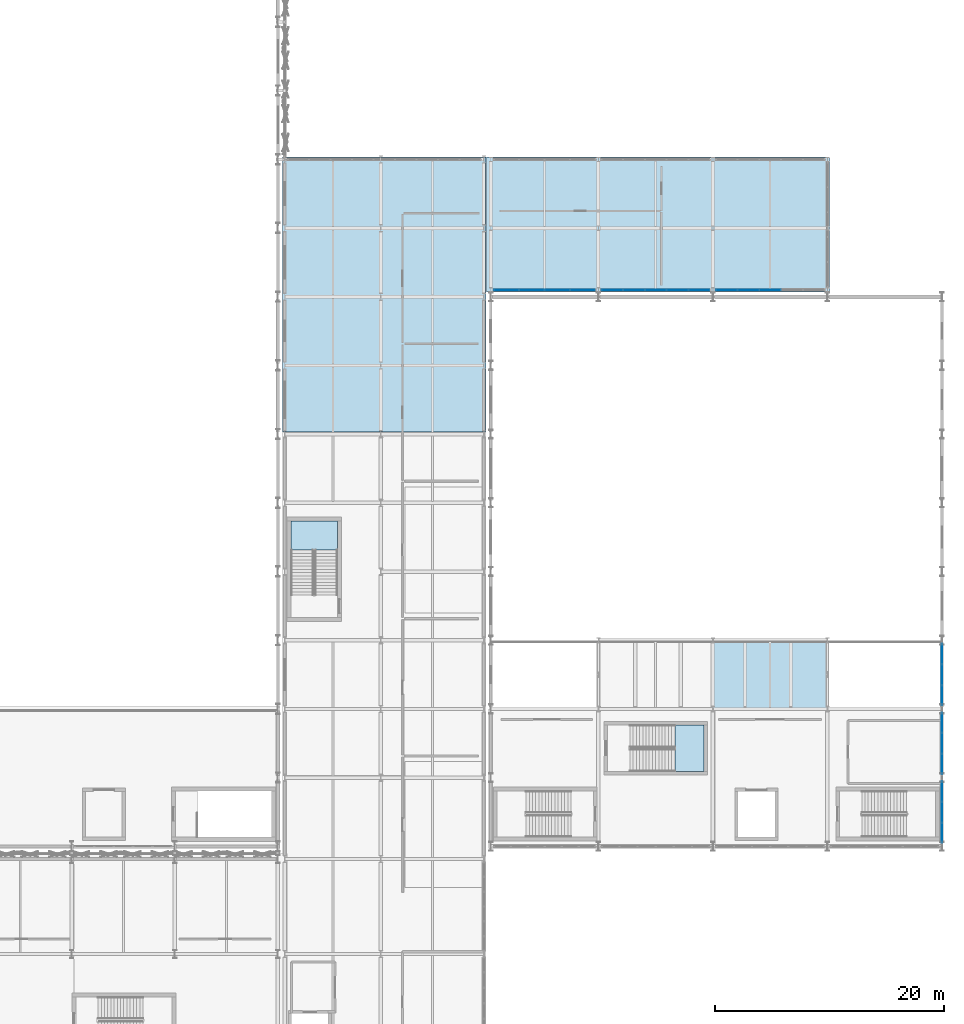
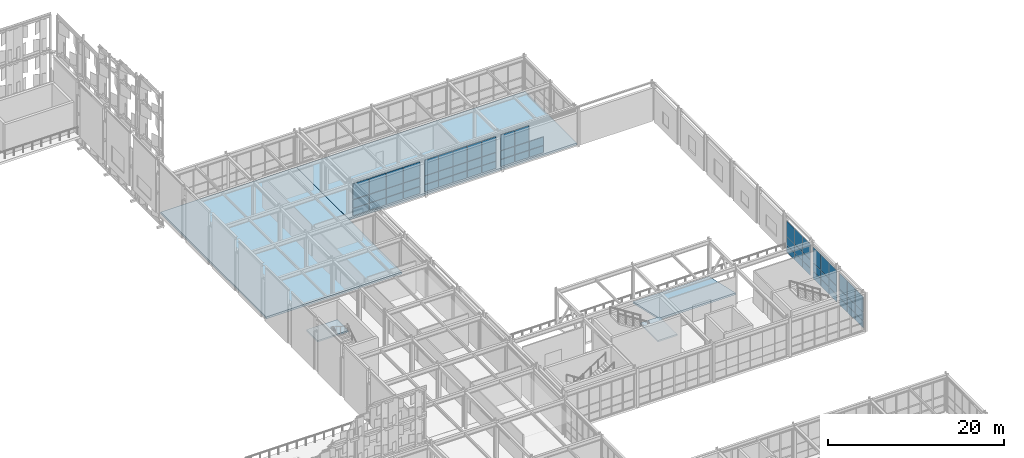
# One storey, part 147 of 210: 62 plates, 5 slabs, 8 elements without a shape of their own.
"""IFC4 building model written with IfcOpenShell, lengths in metres."""

from ifc_helpers import new_model, si_unit, direction, frame, origin, origin_2d, place, context, subcontext, project, spatial, polyline, rectangle, outline, extrude, material, layer, layer_set, type_object, element, aggregate, save


model = new_model("IFC4")

# Units and contexts
model_context = context("Model", 3, precision=1e-05, world=origin(), true_north=direction((0.0, 1.0)))
body_context = subcontext(model_context, "Body", "Model", "MODEL_VIEW")
ifc_project = project(units=[si_unit("LENGTHUNIT", "METRE"), si_unit("AREAUNIT", "SQUARE_METRE"), si_unit("VOLUMEUNIT", "CUBIC_METRE"), si_unit("PLANEANGLEUNIT", "RADIAN"), si_unit("MASSUNIT", "GRAM", prefix="KILO")], contexts=[model_context])

# Site, building, storey
site_placement = place(None, origin())
site = spatial("IfcSite", under=ifc_project, at=site_placement, CompositionType="ELEMENT")
building_placement = place(site_placement, origin())
building = spatial("IfcBuilding", under=site, at=building_placement, Name="Kaldris Quays Convention Centre", CompositionType="ELEMENT")
storey_placement = place(building_placement, frame((0.0, 0.0, 6.0)))
storey = spatial("IfcBuildingStorey", under=building, at=storey_placement, Name="L01", CompositionType="ELEMENT", Elevation=6.0)

# Curtain wall, plates
ifc_material_1 = material(Name="Anodized aluminium AW-6060 and triple glazing", Category="aluminium")
curtain_wall_type_1 = type_object("IfcCurtainWallType", Name="UNITISED CURTAIN WALL CW02", PredefinedType="NOTDEFINED", material=ifc_material_1)
curtain_wall_1_placement = place(storey_placement, origin())
curtain_wall_1 = element("IfcCurtainWall", 1, at=curtain_wall_1_placement, inside=storey, type_object=curtain_wall_type_1, Name="L01 Unitised Curtain Wall CW02 26", PredefinedType="NOTDEFINED")
ifc_material_2 = material(Name="Triple low-E insulated glazing", Category="glass")
plate_type_1 = type_object("IfcPlateType", Name="CURTAIN GLAZING PANEL CWP2", PredefinedType="CURTAIN_PANEL", material=ifc_material_2)
plate_1_placement = place(storey_placement, frame((204.0, 57.181640625, 0.06005859375), z_axis=(0.0, 0.0, 1.0), x_axis=(0.0, 1.0, 0.0)))
plate_1 = element("IfcPlate", 2, at=plate_1_placement, type_object=plate_type_1, Name="CW02 panel 1.1", PredefinedType="CURTAIN_PANEL", context=body_context, shape_type="SweptSolid", body=[
    extrude(rectangle(XDim=1.743408203125, YDim=0.033935546875, at=origin_2d()), origin(), (0.0, 0.0, 1.0), 0.9599609375),
])
plate_2_placement = place(storey_placement, frame((204.0, 57.181640625, 1.080078125), z_axis=(0.0, 0.0, 1.0), x_axis=(0.0, 1.0, 0.0)))
plate_2 = element("IfcPlate", 3, at=plate_2_placement, type_object=plate_type_1, Name="CW02 panel 1.2", PredefinedType="CURTAIN_PANEL", context=body_context, shape_type="SweptSolid", body=[
    extrude(rectangle(XDim=1.743408203125, YDim=0.033935546875, at=origin_2d()), origin(), (0.0, 0.0, 1.0), 1.12890625),
])
plate_3_placement = place(storey_placement, frame((204.0, 57.181640625, 2.26904296875), z_axis=(0.0, 0.0, 1.0), x_axis=(0.0, 1.0, 0.0)))
plate_3 = element("IfcPlate", 4, at=plate_3_placement, type_object=plate_type_1, Name="CW02 panel 1.3", PredefinedType="CURTAIN_PANEL", context=body_context, shape_type="SweptSolid", body=[
    extrude(rectangle(XDim=1.743408203125, YDim=0.033935546875, at=origin_2d()), origin(), (0.0, 0.0, 1.0), 2.14892578125),
])
plate_4_placement = place(storey_placement, frame((204.0, 59.0, 0.06005859375), z_axis=(0.0, 0.0, 1.0), x_axis=(0.0, 1.0, 0.0)))
plate_4 = element("IfcPlate", 5, at=plate_4_placement, type_object=plate_type_1, Name="CW02 panel 2.1", PredefinedType="CURTAIN_PANEL", context=body_context, shape_type="SweptSolid", body=[
    extrude(rectangle(XDim=1.7734375, YDim=0.033935546875, at=origin_2d()), origin(), (0.0, 0.0, 1.0), 0.9599609375),
])
plate_5_placement = place(storey_placement, frame((204.0, 59.0, 1.080078125), z_axis=(0.0, 0.0, 1.0), x_axis=(0.0, 1.0, 0.0)))
plate_5 = element("IfcPlate", 6, at=plate_5_placement, type_object=plate_type_1, Name="CW02 panel 2.2", PredefinedType="CURTAIN_PANEL", context=body_context, shape_type="SweptSolid", body=[
    extrude(rectangle(XDim=1.7734375, YDim=0.033935546875, at=origin_2d()), origin(), (0.0, 0.0, 1.0), 1.12890625),
])
plate_6_placement = place(storey_placement, frame((204.0, 59.0, 2.26904296875), z_axis=(0.0, 0.0, 1.0), x_axis=(0.0, 1.0, 0.0)))
plate_6 = element("IfcPlate", 7, at=plate_6_placement, type_object=plate_type_1, Name="CW02 panel 2.3", PredefinedType="CURTAIN_PANEL", context=body_context, shape_type="SweptSolid", body=[
    extrude(rectangle(XDim=1.7734375, YDim=0.033935546875, at=origin_2d()), origin(), (0.0, 0.0, 1.0), 2.14892578125),
])
plate_7_placement = place(storey_placement, frame((204.0, 60.818359375, 0.06005859375), z_axis=(0.0, 0.0, 1.0), x_axis=(0.0, 1.0, 0.0)))
plate_7 = element("IfcPlate", 8, at=plate_7_placement, type_object=plate_type_1, Name="CW02 panel 3.1", PredefinedType="CURTAIN_PANEL", context=body_context, shape_type="SweptSolid", body=[
    extrude(rectangle(XDim=1.743408203125, YDim=0.033935546875, at=origin_2d()), origin(), (0.0, 0.0, 1.0), 0.9599609375),
])
plate_8_placement = place(storey_placement, frame((204.0, 60.818359375, 1.080078125), z_axis=(0.0, 0.0, 1.0), x_axis=(0.0, 1.0, 0.0)))
plate_8 = element("IfcPlate", 9, at=plate_8_placement, type_object=plate_type_1, Name="CW02 panel 3.2", PredefinedType="CURTAIN_PANEL", context=body_context, shape_type="SweptSolid", body=[
    extrude(rectangle(XDim=1.743408203125, YDim=0.033935546875, at=origin_2d()), origin(), (0.0, 0.0, 1.0), 1.12890625),
])
plate_9_placement = place(storey_placement, frame((204.0, 60.818359375, 2.26904296875), z_axis=(0.0, 0.0, 1.0), x_axis=(0.0, 1.0, 0.0)))
plate_9 = element("IfcPlate", 10, at=plate_9_placement, type_object=plate_type_1, Name="CW02 panel 3.3", PredefinedType="CURTAIN_PANEL", context=body_context, shape_type="SweptSolid", body=[
    extrude(rectangle(XDim=1.743408203125, YDim=0.033935546875, at=origin_2d()), origin(), (0.0, 0.0, 1.0), 2.14892578125),
])
aggregate(curtain_wall_1, [plate_1, plate_2, plate_3, plate_4, plate_5, plate_6, plate_7, plate_8, plate_9])

curtain_wall_type_2 = type_object("IfcCurtainWallType", Name="UNITISED CURTAIN WALL CW06", PredefinedType="NOTDEFINED", material=ifc_material_1)
curtain_wall_2_placement = place(storey_placement, origin())
curtain_wall_2 = element("IfcCurtainWall", 11, at=curtain_wall_2_placement, inside=storey, type_object=curtain_wall_type_2, Name="L01 Unitised Curtain Wall CW06 162", PredefinedType="NOTDEFINED")
plate_10_placement = place(storey_placement, frame((175.215087890625, 104.60009765625, 0.06005859375), z_axis=(0.0, 0.0, 1.0), x_axis=(1.0, 0.0, 0.0)))
plate_10 = element("IfcPlate", 12, at=plate_10_placement, type_object=plate_type_1, Name="CW06 panel 1.1", PredefinedType="CURTAIN_PANEL", context=body_context, shape_type="SweptSolid", body=[
    extrude(rectangle(XDim=1.81005859375, YDim=0.033935546875, at=origin_2d()), origin(), (0.0, 0.0, 1.0), 0.9599609375),
])
plate_11_placement = place(storey_placement, frame((175.215087890625, 104.60009765625, 1.080078125), z_axis=(0.0, 0.0, 1.0), x_axis=(1.0, 0.0, 0.0)))
plate_11 = element("IfcPlate", 13, at=plate_11_placement, type_object=plate_type_1, Name="CW06 panel 1.2", PredefinedType="CURTAIN_PANEL", context=body_context, shape_type="SweptSolid", body=[
    extrude(rectangle(XDim=1.81005859375, YDim=0.033935546875, at=origin_2d()), origin(), (0.0, 0.0, 1.0), 1.14892578125),
])
plate_12_placement = place(storey_placement, frame((175.215087890625, 104.60009765625, 2.2890625), z_axis=(0.0, 0.0, 1.0), x_axis=(1.0, 0.0, 0.0)))
plate_12 = element("IfcPlate", 14, at=plate_12_placement, type_object=plate_type_1, Name="CW06 panel 1.3", PredefinedType="CURTAIN_PANEL", context=body_context, shape_type="SweptSolid", body=[
    extrude(rectangle(XDim=1.81005859375, YDim=0.033935546875, at=origin_2d()), origin(), (0.0, 0.0, 1.0), 2.1689453125),
])
plate_13_placement = place(storey_placement, frame((177.10009765625, 104.60009765625, 0.06005859375), z_axis=(0.0, 0.0, 1.0), x_axis=(1.0, 0.0, 0.0)))
plate_13 = element("IfcPlate", 15, at=plate_13_placement, type_object=plate_type_1, Name="CW06 panel 2.1", PredefinedType="CURTAIN_PANEL", context=body_context, shape_type="SweptSolid", body=[
    extrude(rectangle(XDim=1.840087890625, YDim=0.033935546875, at=origin_2d()), origin(), (0.0, 0.0, 1.0), 0.9599609375),
])
plate_14_placement = place(storey_placement, frame((177.10009765625, 104.60009765625, 1.080078125), z_axis=(0.0, 0.0, 1.0), x_axis=(1.0, 0.0, 0.0)))
plate_14 = element("IfcPlate", 16, at=plate_14_placement, type_object=plate_type_1, Name="CW06 panel 2.2", PredefinedType="CURTAIN_PANEL", context=body_context, shape_type="SweptSolid", body=[
    extrude(rectangle(XDim=1.840087890625, YDim=0.033935546875, at=origin_2d()), origin(), (0.0, 0.0, 1.0), 1.14892578125),
])
plate_15_placement = place(storey_placement, frame((177.10009765625, 104.60009765625, 2.2890625), z_axis=(0.0, 0.0, 1.0), x_axis=(1.0, 0.0, 0.0)))
plate_15 = element("IfcPlate", 17, at=plate_15_placement, type_object=plate_type_1, Name="CW06 panel 2.3", PredefinedType="CURTAIN_PANEL", context=body_context, shape_type="SweptSolid", body=[
    extrude(rectangle(XDim=1.840087890625, YDim=0.033935546875, at=origin_2d()), origin(), (0.0, 0.0, 1.0), 2.1689453125),
])
plate_16_placement = place(storey_placement, frame((179.0, 104.60009765625, 0.06005859375), z_axis=(0.0, 0.0, 1.0), x_axis=(1.0, 0.0, 0.0)))
plate_16 = element("IfcPlate", 18, at=plate_16_placement, type_object=plate_type_1, Name="CW06 panel 3.1", PredefinedType="CURTAIN_PANEL", context=body_context, shape_type="SweptSolid", body=[
    extrude(rectangle(XDim=1.840087890625, YDim=0.033935546875, at=origin_2d()), origin(), (0.0, 0.0, 1.0), 0.9599609375),
])
plate_17_placement = place(storey_placement, frame((179.0, 104.60009765625, 1.080078125), z_axis=(0.0, 0.0, 1.0), x_axis=(1.0, 0.0, 0.0)))
plate_17 = element("IfcPlate", 19, at=plate_17_placement, type_object=plate_type_1, Name="CW06 panel 3.2", PredefinedType="CURTAIN_PANEL", context=body_context, shape_type="SweptSolid", body=[
    extrude(rectangle(XDim=1.840087890625, YDim=0.033935546875, at=origin_2d()), origin(), (0.0, 0.0, 1.0), 1.14892578125),
])
plate_18_placement = place(storey_placement, frame((179.0, 104.60009765625, 2.2890625), z_axis=(0.0, 0.0, 1.0), x_axis=(1.0, 0.0, 0.0)))
plate_18 = element("IfcPlate", 20, at=plate_18_placement, type_object=plate_type_1, Name="CW06 panel 3.3", PredefinedType="CURTAIN_PANEL", context=body_context, shape_type="SweptSolid", body=[
    extrude(rectangle(XDim=1.840087890625, YDim=0.033935546875, at=origin_2d()), origin(), (0.0, 0.0, 1.0), 2.1689453125),
])
plate_19_placement = place(storey_placement, frame((180.89990234375, 104.60009765625, 0.06005859375), z_axis=(0.0, 0.0, 1.0), x_axis=(1.0, 0.0, 0.0)))
plate_19 = element("IfcPlate", 21, at=plate_19_placement, type_object=plate_type_1, Name="CW06 panel 4.1", PredefinedType="CURTAIN_PANEL", context=body_context, shape_type="SweptSolid", body=[
    extrude(rectangle(XDim=1.840087890625, YDim=0.033935546875, at=origin_2d()), origin(), (0.0, 0.0, 1.0), 0.9599609375),
])
plate_20_placement = place(storey_placement, frame((180.89990234375, 104.60009765625, 1.080078125), z_axis=(0.0, 0.0, 1.0), x_axis=(1.0, 0.0, 0.0)))
plate_20 = element("IfcPlate", 22, at=plate_20_placement, type_object=plate_type_1, Name="CW06 panel 4.2", PredefinedType="CURTAIN_PANEL", context=body_context, shape_type="SweptSolid", body=[
    extrude(rectangle(XDim=1.840087890625, YDim=0.033935546875, at=origin_2d()), origin(), (0.0, 0.0, 1.0), 1.14892578125),
])
plate_21_placement = place(storey_placement, frame((180.89990234375, 104.60009765625, 2.2890625), z_axis=(0.0, 0.0, 1.0), x_axis=(1.0, 0.0, 0.0)))
plate_21 = element("IfcPlate", 23, at=plate_21_placement, type_object=plate_type_1, Name="CW06 panel 4.3", PredefinedType="CURTAIN_PANEL", context=body_context, shape_type="SweptSolid", body=[
    extrude(rectangle(XDim=1.840087890625, YDim=0.033935546875, at=origin_2d()), origin(), (0.0, 0.0, 1.0), 2.1689453125),
])
plate_22_placement = place(storey_placement, frame((182.784912109375, 104.60009765625, 0.06005859375), z_axis=(0.0, 0.0, 1.0), x_axis=(1.0, 0.0, 0.0)))
plate_22 = element("IfcPlate", 24, at=plate_22_placement, type_object=plate_type_1, Name="CW06 panel 5.1", PredefinedType="CURTAIN_PANEL", context=body_context, shape_type="SweptSolid", body=[
    extrude(rectangle(XDim=1.81005859375, YDim=0.033935546875, at=origin_2d()), origin(), (0.0, 0.0, 1.0), 0.9599609375),
])
plate_23_placement = place(storey_placement, frame((182.784912109375, 104.60009765625, 1.080078125), z_axis=(0.0, 0.0, 1.0), x_axis=(1.0, 0.0, 0.0)))
plate_23 = element("IfcPlate", 25, at=plate_23_placement, type_object=plate_type_1, Name="CW06 panel 5.2", PredefinedType="CURTAIN_PANEL", context=body_context, shape_type="SweptSolid", body=[
    extrude(rectangle(XDim=1.81005859375, YDim=0.033935546875, at=origin_2d()), origin(), (0.0, 0.0, 1.0), 1.14892578125),
])
plate_24_placement = place(storey_placement, frame((182.784912109375, 104.60009765625, 2.2890625), z_axis=(0.0, 0.0, 1.0), x_axis=(1.0, 0.0, 0.0)))
plate_24 = element("IfcPlate", 26, at=plate_24_placement, type_object=plate_type_1, Name="CW06 panel 5.3", PredefinedType="CURTAIN_PANEL", context=body_context, shape_type="SweptSolid", body=[
    extrude(rectangle(XDim=1.81005859375, YDim=0.033935546875, at=origin_2d()), origin(), (0.0, 0.0, 1.0), 2.1689453125),
])
aggregate(curtain_wall_2, [plate_10, plate_11, plate_12, plate_13, plate_14, plate_15, plate_16, plate_17, plate_18, plate_19, plate_20, plate_21, plate_22, plate_23, plate_24])

curtain_wall_3_placement = place(storey_placement, origin())
curtain_wall_3 = element("IfcCurtainWall", 27, at=curtain_wall_3_placement, inside=storey, type_object=curtain_wall_type_1, Name="L01 Unitised Curtain Wall CW02 27", PredefinedType="NOTDEFINED")
plate_type_2 = type_object("IfcPlateType", Name="CURTAIN GLAZING PANEL CWP3", PredefinedType="CURTAIN_PANEL", material=ifc_material_2)
plate_25_placement = place(storey_placement, frame((204.0, 63.181640625, 0.06005859375), z_axis=(0.0, 0.0, 1.0), x_axis=(0.0, 1.0, 0.0)))
plate_25 = element("IfcPlate", 28, at=plate_25_placement, type_object=plate_type_2, Name="CW02 panel 1.1", PredefinedType="CURTAIN_PANEL", context=body_context, shape_type="SweptSolid", body=[
    extrude(rectangle(XDim=1.743408203125, YDim=0.0390625, at=origin_2d()), origin(), (0.0, 0.0, 1.0), 0.9599609375),
])
plate_26_placement = place(storey_placement, frame((204.0, 63.181640625, 1.080078125), z_axis=(0.0, 0.0, 1.0), x_axis=(0.0, 1.0, 0.0)))
plate_26 = element("IfcPlate", 29, at=plate_26_placement, type_object=plate_type_2, Name="CW02 panel 1.2", PredefinedType="CURTAIN_PANEL", context=body_context, shape_type="SweptSolid", body=[
    extrude(rectangle(XDim=1.743408203125, YDim=0.0390625, at=origin_2d()), origin(), (0.0, 0.0, 1.0), 1.12890625),
])
plate_27_placement = place(storey_placement, frame((204.0, 63.181640625, 2.26904296875), z_axis=(0.0, 0.0, 1.0), x_axis=(0.0, 1.0, 0.0)))
plate_27 = element("IfcPlate", 30, at=plate_27_placement, type_object=plate_type_2, Name="CW02 panel 1.3", PredefinedType="CURTAIN_PANEL", context=body_context, shape_type="SweptSolid", body=[
    extrude(rectangle(XDim=1.743408203125, YDim=0.0390625, at=origin_2d()), origin(), (0.0, 0.0, 1.0), 2.14892578125),
])
plate_28_placement = place(storey_placement, frame((204.0, 65.0, 0.06005859375), z_axis=(0.0, 0.0, 1.0), x_axis=(0.0, 1.0, 0.0)))
plate_28 = element("IfcPlate", 31, at=plate_28_placement, type_object=plate_type_2, Name="CW02 panel 2.1", PredefinedType="CURTAIN_PANEL", context=body_context, shape_type="SweptSolid", body=[
    extrude(rectangle(XDim=1.7734375, YDim=0.0390625, at=origin_2d()), origin(), (0.0, 0.0, 1.0), 0.9599609375),
])
plate_29_placement = place(storey_placement, frame((204.0, 65.0, 1.080078125), z_axis=(0.0, 0.0, 1.0), x_axis=(0.0, 1.0, 0.0)))
plate_29 = element("IfcPlate", 32, at=plate_29_placement, type_object=plate_type_2, Name="CW02 panel 2.2", PredefinedType="CURTAIN_PANEL", context=body_context, shape_type="SweptSolid", body=[
    extrude(rectangle(XDim=1.7734375, YDim=0.0390625, at=origin_2d()), origin(), (0.0, 0.0, 1.0), 1.12890625),
])
plate_30_placement = place(storey_placement, frame((204.0, 65.0, 2.26904296875), z_axis=(0.0, 0.0, 1.0), x_axis=(0.0, 1.0, 0.0)))
plate_30 = element("IfcPlate", 33, at=plate_30_placement, type_object=plate_type_2, Name="CW02 panel 2.3", PredefinedType="CURTAIN_PANEL", context=body_context, shape_type="SweptSolid", body=[
    extrude(rectangle(XDim=1.7734375, YDim=0.0390625, at=origin_2d()), origin(), (0.0, 0.0, 1.0), 2.14892578125),
])
plate_31_placement = place(storey_placement, frame((204.0, 66.818359375, 0.06005859375), z_axis=(0.0, 0.0, 1.0), x_axis=(0.0, 1.0, 0.0)))
plate_31 = element("IfcPlate", 34, at=plate_31_placement, type_object=plate_type_2, Name="CW02 panel 3.1", PredefinedType="CURTAIN_PANEL", context=body_context, shape_type="SweptSolid", body=[
    extrude(rectangle(XDim=1.743408203125, YDim=0.0390625, at=origin_2d()), origin(), (0.0, 0.0, 1.0), 0.9599609375),
])
plate_32_placement = place(storey_placement, frame((204.0, 66.818359375, 1.080078125), z_axis=(0.0, 0.0, 1.0), x_axis=(0.0, 1.0, 0.0)))
plate_32 = element("IfcPlate", 35, at=plate_32_placement, type_object=plate_type_2, Name="CW02 panel 3.2", PredefinedType="CURTAIN_PANEL", context=body_context, shape_type="SweptSolid", body=[
    extrude(rectangle(XDim=1.743408203125, YDim=0.0390625, at=origin_2d()), origin(), (0.0, 0.0, 1.0), 1.12890625),
])
plate_33_placement = place(storey_placement, frame((204.0, 66.818359375, 2.26904296875), z_axis=(0.0, 0.0, 1.0), x_axis=(0.0, 1.0, 0.0)))
plate_33 = element("IfcPlate", 36, at=plate_33_placement, type_object=plate_type_2, Name="CW02 panel 3.3", PredefinedType="CURTAIN_PANEL", context=body_context, shape_type="SweptSolid", body=[
    extrude(rectangle(XDim=1.743408203125, YDim=0.0390625, at=origin_2d()), origin(), (0.0, 0.0, 1.0), 2.14892578125),
])
aggregate(curtain_wall_3, [plate_25, plate_26, plate_27, plate_28, plate_29, plate_30, plate_31, plate_32, plate_33])

curtain_wall_4_placement = place(storey_placement, origin())
curtain_wall_4 = element("IfcCurtainWall", 37, at=curtain_wall_4_placement, inside=storey, type_object=curtain_wall_type_1, Name="L01 Unitised Curtain Wall CW02 28", PredefinedType="NOTDEFINED")
plate_type_3 = type_object("IfcPlateType", Name="CURTAIN GLAZING PANEL CWP4", PredefinedType="CURTAIN_PANEL", material=ifc_material_2)
plate_34_placement = place(storey_placement, frame((204.0, 69.181640625, 0.06005859375), z_axis=(0.0, 0.0, 1.0), x_axis=(0.0, 1.0, 0.0)))
plate_34 = element("IfcPlate", 38, at=plate_34_placement, type_object=plate_type_3, Name="CW02 panel 1.1", PredefinedType="CURTAIN_PANEL", context=body_context, shape_type="SweptSolid", body=[
    extrude(rectangle(XDim=1.743408203125, YDim=0.0439453125, at=origin_2d()), origin(), (0.0, 0.0, 1.0), 0.9599609375),
])
plate_35_placement = place(storey_placement, frame((204.0, 69.181640625, 1.080078125), z_axis=(0.0, 0.0, 1.0), x_axis=(0.0, 1.0, 0.0)))
plate_35 = element("IfcPlate", 39, at=plate_35_placement, type_object=plate_type_3, Name="CW02 panel 1.2", PredefinedType="CURTAIN_PANEL", context=body_context, shape_type="SweptSolid", body=[
    extrude(rectangle(XDim=1.743408203125, YDim=0.0439453125, at=origin_2d()), origin(), (0.0, 0.0, 1.0), 1.12890625),
])
plate_36_placement = place(storey_placement, frame((204.0, 69.181640625, 2.26904296875), z_axis=(0.0, 0.0, 1.0), x_axis=(0.0, 1.0, 0.0)))
plate_36 = element("IfcPlate", 40, at=plate_36_placement, type_object=plate_type_3, Name="CW02 panel 1.3", PredefinedType="CURTAIN_PANEL", context=body_context, shape_type="SweptSolid", body=[
    extrude(rectangle(XDim=1.743408203125, YDim=0.0439453125, at=origin_2d()), origin(), (0.0, 0.0, 1.0), 2.14892578125),
])
plate_37_placement = place(storey_placement, frame((204.0, 71.0, 0.06005859375), z_axis=(0.0, 0.0, 1.0), x_axis=(0.0, 1.0, 0.0)))
plate_37 = element("IfcPlate", 41, at=plate_37_placement, type_object=plate_type_3, Name="CW02 panel 2.1", PredefinedType="CURTAIN_PANEL", context=body_context, shape_type="SweptSolid", body=[
    extrude(rectangle(XDim=1.7734375, YDim=0.0439453125, at=origin_2d()), origin(), (0.0, 0.0, 1.0), 0.9599609375),
])
plate_38_placement = place(storey_placement, frame((204.0, 71.0, 1.080078125), z_axis=(0.0, 0.0, 1.0), x_axis=(0.0, 1.0, 0.0)))
plate_38 = element("IfcPlate", 42, at=plate_38_placement, type_object=plate_type_3, Name="CW02 panel 2.2", PredefinedType="CURTAIN_PANEL", context=body_context, shape_type="SweptSolid", body=[
    extrude(rectangle(XDim=1.7734375, YDim=0.0439453125, at=origin_2d()), origin(), (0.0, 0.0, 1.0), 1.12890625),
])
plate_39_placement = place(storey_placement, frame((204.0, 71.0, 2.26904296875), z_axis=(0.0, 0.0, 1.0), x_axis=(0.0, 1.0, 0.0)))
plate_39 = element("IfcPlate", 43, at=plate_39_placement, type_object=plate_type_3, Name="CW02 panel 2.3", PredefinedType="CURTAIN_PANEL", context=body_context, shape_type="SweptSolid", body=[
    extrude(rectangle(XDim=1.7734375, YDim=0.0439453125, at=origin_2d()), origin(), (0.0, 0.0, 1.0), 2.14892578125),
])
plate_40_placement = place(storey_placement, frame((204.0, 72.818359375, 0.06005859375), z_axis=(0.0, 0.0, 1.0), x_axis=(0.0, 1.0, 0.0)))
plate_40 = element("IfcPlate", 44, at=plate_40_placement, type_object=plate_type_3, Name="CW02 panel 3.1", PredefinedType="CURTAIN_PANEL", context=body_context, shape_type="SweptSolid", body=[
    extrude(rectangle(XDim=1.743408203125, YDim=0.0439453125, at=origin_2d()), origin(), (0.0, 0.0, 1.0), 0.9599609375),
])
plate_41_placement = place(storey_placement, frame((204.0, 72.818359375, 1.080078125), z_axis=(0.0, 0.0, 1.0), x_axis=(0.0, 1.0, 0.0)))
plate_41 = element("IfcPlate", 45, at=plate_41_placement, type_object=plate_type_3, Name="CW02 panel 3.2", PredefinedType="CURTAIN_PANEL", context=body_context, shape_type="SweptSolid", body=[
    extrude(rectangle(XDim=1.743408203125, YDim=0.0439453125, at=origin_2d()), origin(), (0.0, 0.0, 1.0), 1.12890625),
])
plate_42_placement = place(storey_placement, frame((204.0, 72.818359375, 2.26904296875), z_axis=(0.0, 0.0, 1.0), x_axis=(0.0, 1.0, 0.0)))
plate_42 = element("IfcPlate", 46, at=plate_42_placement, type_object=plate_type_3, Name="CW02 panel 3.3", PredefinedType="CURTAIN_PANEL", context=body_context, shape_type="SweptSolid", body=[
    extrude(rectangle(XDim=1.743408203125, YDim=0.0439453125, at=origin_2d()), origin(), (0.0, 0.0, 1.0), 2.14892578125),
])
aggregate(curtain_wall_4, [plate_34, plate_35, plate_36, plate_37, plate_38, plate_39, plate_40, plate_41, plate_42])

curtain_wall_5_placement = place(storey_placement, origin())
curtain_wall_5 = element("IfcCurtainWall", 47, at=curtain_wall_5_placement, inside=storey, type_object=curtain_wall_type_2, Name="L01 Unitised Curtain Wall CW06 164", PredefinedType="NOTDEFINED")
plate_43_placement = place(storey_placement, frame((185.215087890625, 104.60009765625, 0.06005859375), z_axis=(0.0, 0.0, 1.0), x_axis=(1.0, 0.0, 0.0)))
plate_43 = element("IfcPlate", 48, at=plate_43_placement, type_object=plate_type_3, Name="CW06 panel 1.1", PredefinedType="CURTAIN_PANEL", context=body_context, shape_type="SweptSolid", body=[
    extrude(rectangle(XDim=1.81005859375, YDim=0.0439453125, at=origin_2d()), origin(), (0.0, 0.0, 1.0), 0.9599609375),
])
plate_44_placement = place(storey_placement, frame((185.215087890625, 104.60009765625, 1.080078125), z_axis=(0.0, 0.0, 1.0), x_axis=(1.0, 0.0, 0.0)))
plate_44 = element("IfcPlate", 49, at=plate_44_placement, type_object=plate_type_3, Name="CW06 panel 1.2", PredefinedType="CURTAIN_PANEL", context=body_context, shape_type="SweptSolid", body=[
    extrude(rectangle(XDim=1.81005859375, YDim=0.0439453125, at=origin_2d()), origin(), (0.0, 0.0, 1.0), 1.14892578125),
])
plate_45_placement = place(storey_placement, frame((185.215087890625, 104.60009765625, 2.2890625), z_axis=(0.0, 0.0, 1.0), x_axis=(1.0, 0.0, 0.0)))
plate_45 = element("IfcPlate", 50, at=plate_45_placement, type_object=plate_type_3, Name="CW06 panel 1.3", PredefinedType="CURTAIN_PANEL", context=body_context, shape_type="SweptSolid", body=[
    extrude(rectangle(XDim=1.81005859375, YDim=0.0439453125, at=origin_2d()), origin(), (0.0, 0.0, 1.0), 2.1689453125),
])
plate_46_placement = place(storey_placement, frame((187.10009765625, 104.60009765625, 0.06005859375), z_axis=(0.0, 0.0, 1.0), x_axis=(1.0, 0.0, 0.0)))
plate_46 = element("IfcPlate", 51, at=plate_46_placement, type_object=plate_type_3, Name="CW06 panel 2.1", PredefinedType="CURTAIN_PANEL", context=body_context, shape_type="SweptSolid", body=[
    extrude(rectangle(XDim=1.840087890625, YDim=0.0439453125, at=origin_2d()), origin(), (0.0, 0.0, 1.0), 0.9599609375),
])
plate_47_placement = place(storey_placement, frame((187.10009765625, 104.60009765625, 1.080078125), z_axis=(0.0, 0.0, 1.0), x_axis=(1.0, 0.0, 0.0)))
plate_47 = element("IfcPlate", 52, at=plate_47_placement, type_object=plate_type_3, Name="CW06 panel 2.2", PredefinedType="CURTAIN_PANEL", context=body_context, shape_type="SweptSolid", body=[
    extrude(rectangle(XDim=1.840087890625, YDim=0.0439453125, at=origin_2d()), origin(), (0.0, 0.0, 1.0), 1.14892578125),
])
plate_48_placement = place(storey_placement, frame((187.10009765625, 104.60009765625, 2.2890625), z_axis=(0.0, 0.0, 1.0), x_axis=(1.0, 0.0, 0.0)))
plate_48 = element("IfcPlate", 53, at=plate_48_placement, type_object=plate_type_3, Name="CW06 panel 2.3", PredefinedType="CURTAIN_PANEL", context=body_context, shape_type="SweptSolid", body=[
    extrude(rectangle(XDim=1.840087890625, YDim=0.0439453125, at=origin_2d()), origin(), (0.0, 0.0, 1.0), 2.1689453125),
])
plate_49_placement = place(storey_placement, frame((189.0, 104.60009765625, 0.06005859375), z_axis=(0.0, 0.0, 1.0), x_axis=(1.0, 0.0, 0.0)))
plate_49 = element("IfcPlate", 54, at=plate_49_placement, type_object=plate_type_3, Name="CW06 panel 3.1", PredefinedType="CURTAIN_PANEL", context=body_context, shape_type="SweptSolid", body=[
    extrude(rectangle(XDim=1.840087890625, YDim=0.0439453125, at=origin_2d()), origin(), (0.0, 0.0, 1.0), 0.9599609375),
])
plate_50_placement = place(storey_placement, frame((189.0, 104.60009765625, 1.080078125), z_axis=(0.0, 0.0, 1.0), x_axis=(1.0, 0.0, 0.0)))
plate_50 = element("IfcPlate", 55, at=plate_50_placement, type_object=plate_type_3, Name="CW06 panel 3.2", PredefinedType="CURTAIN_PANEL", context=body_context, shape_type="SweptSolid", body=[
    extrude(rectangle(XDim=1.840087890625, YDim=0.0439453125, at=origin_2d()), origin(), (0.0, 0.0, 1.0), 1.14892578125),
])
aggregate(curtain_wall_5, [plate_43, plate_44, plate_45, plate_46, plate_47, plate_48, plate_49, plate_50])

curtain_wall_6_placement = place(storey_placement, origin())
curtain_wall_6 = element("IfcCurtainWall", 56, at=curtain_wall_6_placement, inside=storey, type_object=curtain_wall_type_2, Name="L01 Unitised Curtain Wall CW06 160", PredefinedType="NOTDEFINED")
plate_type_4 = type_object("IfcPlateType", Name="CURTAIN GLAZING PANEL CWP8", PredefinedType="CURTAIN_PANEL", material=ifc_material_2)
plate_51_placement = place(storey_placement, frame((165.9775390625, 104.60009765625, 0.06005859375), z_axis=(0.0, 0.0, 1.0), x_axis=(1.0, 0.0, 0.0)))
plate_51 = element("IfcPlate", 57, at=plate_51_placement, type_object=plate_type_4, Name="CW06 panel 1.1", PredefinedType="CURTAIN_PANEL", context=body_context, shape_type="SweptSolid", body=[
    extrude(rectangle(XDim=2.135009765625, YDim=0.06396484375, at=origin_2d()), origin(), (0.0, 0.0, 1.0), 0.9599609375),
])
plate_52_placement = place(storey_placement, frame((165.9775390625, 104.60009765625, 1.080078125), z_axis=(0.0, 0.0, 1.0), x_axis=(1.0, 0.0, 0.0)))
plate_52 = element("IfcPlate", 58, at=plate_52_placement, type_object=plate_type_4, Name="CW06 panel 1.2", PredefinedType="CURTAIN_PANEL", context=body_context, shape_type="SweptSolid", body=[
    extrude(rectangle(XDim=2.135009765625, YDim=0.06396484375, at=origin_2d()), origin(), (0.0, 0.0, 1.0), 1.14892578125),
])
plate_53_placement = place(storey_placement, frame((165.9775390625, 104.60009765625, 2.2890625), z_axis=(0.0, 0.0, 1.0), x_axis=(1.0, 0.0, 0.0)))
plate_53 = element("IfcPlate", 59, at=plate_53_placement, type_object=plate_type_4, Name="CW06 panel 1.3", PredefinedType="CURTAIN_PANEL", context=body_context, shape_type="SweptSolid", body=[
    extrude(rectangle(XDim=2.135009765625, YDim=0.06396484375, at=origin_2d()), origin(), (0.0, 0.0, 1.0), 2.1689453125),
])
plate_54_placement = place(storey_placement, frame((168.1875, 104.60009765625, 0.06005859375), z_axis=(0.0, 0.0, 1.0), x_axis=(1.0, 0.0, 0.0)))
plate_54 = element("IfcPlate", 60, at=plate_54_placement, type_object=plate_type_4, Name="CW06 panel 2.1", PredefinedType="CURTAIN_PANEL", context=body_context, shape_type="SweptSolid", body=[
    extrude(rectangle(XDim=2.1650390625, YDim=0.06396484375, at=origin_2d()), origin(), (0.0, 0.0, 1.0), 0.9599609375),
])
plate_55_placement = place(storey_placement, frame((168.1875, 104.60009765625, 1.080078125), z_axis=(0.0, 0.0, 1.0), x_axis=(1.0, 0.0, 0.0)))
plate_55 = element("IfcPlate", 61, at=plate_55_placement, type_object=plate_type_4, Name="CW06 panel 2.2", PredefinedType="CURTAIN_PANEL", context=body_context, shape_type="SweptSolid", body=[
    extrude(rectangle(XDim=2.1650390625, YDim=0.06396484375, at=origin_2d()), origin(), (0.0, 0.0, 1.0), 1.14892578125),
])
plate_56_placement = place(storey_placement, frame((168.1875, 104.60009765625, 2.2890625), z_axis=(0.0, 0.0, 1.0), x_axis=(1.0, 0.0, 0.0)))
plate_56 = element("IfcPlate", 62, at=plate_56_placement, type_object=plate_type_4, Name="CW06 panel 2.3", PredefinedType="CURTAIN_PANEL", context=body_context, shape_type="SweptSolid", body=[
    extrude(rectangle(XDim=2.1650390625, YDim=0.06396484375, at=origin_2d()), origin(), (0.0, 0.0, 1.0), 2.1689453125),
])
plate_57_placement = place(storey_placement, frame((170.41259765625, 104.60009765625, 0.06005859375), z_axis=(0.0, 0.0, 1.0), x_axis=(1.0, 0.0, 0.0)))
plate_57 = element("IfcPlate", 63, at=plate_57_placement, type_object=plate_type_4, Name="CW06 panel 3.1", PredefinedType="CURTAIN_PANEL", context=body_context, shape_type="SweptSolid", body=[
    extrude(rectangle(XDim=2.1650390625, YDim=0.06396484375, at=origin_2d()), origin(), (0.0, 0.0, 1.0), 0.9599609375),
])
plate_58_placement = place(storey_placement, frame((170.41259765625, 104.60009765625, 1.080078125), z_axis=(0.0, 0.0, 1.0), x_axis=(1.0, 0.0, 0.0)))
plate_58 = element("IfcPlate", 64, at=plate_58_placement, type_object=plate_type_4, Name="CW06 panel 3.2", PredefinedType="CURTAIN_PANEL", context=body_context, shape_type="SweptSolid", body=[
    extrude(rectangle(XDim=2.1650390625, YDim=0.06396484375, at=origin_2d()), origin(), (0.0, 0.0, 1.0), 1.14892578125),
])
plate_59_placement = place(storey_placement, frame((170.41259765625, 104.60009765625, 2.2890625), z_axis=(0.0, 0.0, 1.0), x_axis=(1.0, 0.0, 0.0)))
plate_59 = element("IfcPlate", 65, at=plate_59_placement, type_object=plate_type_4, Name="CW06 panel 3.3", PredefinedType="CURTAIN_PANEL", context=body_context, shape_type="SweptSolid", body=[
    extrude(rectangle(XDim=2.1650390625, YDim=0.06396484375, at=origin_2d()), origin(), (0.0, 0.0, 1.0), 2.1689453125),
])
plate_60_placement = place(storey_placement, frame((172.62255859375, 104.60009765625, 0.06005859375), z_axis=(0.0, 0.0, 1.0), x_axis=(1.0, 0.0, 0.0)))
plate_60 = element("IfcPlate", 66, at=plate_60_placement, type_object=plate_type_4, Name="CW06 panel 4.1", PredefinedType="CURTAIN_PANEL", context=body_context, shape_type="SweptSolid", body=[
    extrude(rectangle(XDim=2.135009765625, YDim=0.06396484375, at=origin_2d()), origin(), (0.0, 0.0, 1.0), 0.9599609375),
])
plate_61_placement = place(storey_placement, frame((172.62255859375, 104.60009765625, 1.080078125), z_axis=(0.0, 0.0, 1.0), x_axis=(1.0, 0.0, 0.0)))
plate_61 = element("IfcPlate", 67, at=plate_61_placement, type_object=plate_type_4, Name="CW06 panel 4.2", PredefinedType="CURTAIN_PANEL", context=body_context, shape_type="SweptSolid", body=[
    extrude(rectangle(XDim=2.135009765625, YDim=0.06396484375, at=origin_2d()), origin(), (0.0, 0.0, 1.0), 1.14892578125),
])
plate_62_placement = place(storey_placement, frame((172.62255859375, 104.60009765625, 2.2890625), z_axis=(0.0, 0.0, 1.0), x_axis=(1.0, 0.0, 0.0)))
plate_62 = element("IfcPlate", 68, at=plate_62_placement, type_object=plate_type_4, Name="CW06 panel 4.3", PredefinedType="CURTAIN_PANEL", context=body_context, shape_type="SweptSolid", body=[
    extrude(rectangle(XDim=2.135009765625, YDim=0.06396484375, at=origin_2d()), origin(), (0.0, 0.0, 1.0), 2.1689453125),
])
aggregate(curtain_wall_6, [plate_51, plate_52, plate_53, plate_54, plate_55, plate_56, plate_57, plate_58, plate_59, plate_60, plate_61, plate_62])

# Stair, slab
ifc_material_3 = material(Name="Concrete C35/45", Category="concrete")
stair_type = type_object("IfcStairType", Name="DOGLEG ESCAPE STAIR STF1", PredefinedType="TWO_STRAIGHT_RUN_STAIR", material=ifc_material_3)
stair_1_placement = place(storey_placement, origin())
stair_1 = element("IfcStair", 69, at=stair_1_placement, inside=storey, type_object=stair_type, Name="L01 Escape Stair ST10", PredefinedType="TWO_STRAIGHT_RUN_STAIR")
ifc_layer_1 = layer(ifc_material_3, 0.205078125)
ifc_layer_set_1 = layer_set([ifc_layer_1], Name="Concrete C35/45")
slab_type_1 = type_object("IfcSlabType", Name="STAIR LANDING SLAB LS01", PredefinedType="LANDING", material=ifc_layer_set_1)
slab_1_placement = place(storey_placement, frame((0.0, 0.0, 2.4951171875)))
slab_1 = element("IfcSlab", 70, at=slab_1_placement, type_object=slab_type_1, Name="STF1 landing 1", PredefinedType="LANDING", context=body_context, shape_type="SweptSolid", body=[
    extrude(outline(polyline([(180.669921875, 62.550048828125), (183.199951171875, 62.550048828125), (183.199951171875, 66.60009765625), (180.669921875, 66.60009765625), (180.669921875, 62.550048828125)])), origin(), (0.0, 0.0, 1.0), 0.204833984375),
])
aggregate(stair_1, [slab_1])

stair_2_placement = place(storey_placement, origin())
stair_2 = element("IfcStair", 71, at=stair_2_placement, inside=storey, type_object=stair_type, Name="L01 Escape Stair ST14", PredefinedType="TWO_STRAIGHT_RUN_STAIR")
slab_2_placement = place(storey_placement, frame((0.0, 0.0, 2.4951171875)))
slab_2 = element("IfcSlab", 72, at=slab_2_placement, type_object=slab_type_1, Name="STF1 landing 1", PredefinedType="LANDING", context=body_context, shape_type="SweptSolid", body=[
    extrude(outline(polyline([(151.199951171875, 81.8701171875), (151.199951171875, 84.39990234375), (147.14990234375, 84.39990234375), (147.14990234375, 81.8701171875), (151.199951171875, 81.8701171875)])), origin(), (0.0, 0.0, 1.0), 0.204833984375),
])
aggregate(stair_2, [slab_2])

# Slabs
ifc_layer_2 = layer(ifc_material_3, 0.27490234375)
ifc_layer_set_2 = layer_set([ifc_layer_2], Name="Concrete C35/45")
slab_type_2 = type_object("IfcSlabType", Name="STRUCTURAL SLAB FS05", PredefinedType="FLOOR", material=ifc_layer_set_2)
slab_3_placement = place(storey_placement, frame((0.0, 0.0, -0.27490234375)))
element("IfcSlab", 73, at=slab_3_placement, inside=storey, type_object=slab_type_2, Name="L01 V4 L01 East 3 SLAB-L01-V4E-3", PredefinedType="FLOOR", context=body_context, shape_type="SweptSolid", body=[
    extrude(outline(polyline([(146.39990234375, 116.199951171875), (164.199951171875, 116.199951171875), (164.199951171875, 92.201904296875), (146.39990234375, 92.201904296875), (146.39990234375, 116.199951171875)])), origin(), (0.0, 0.0, 1.0), 0.27490234375),
])
slab_4_placement = place(storey_placement, frame((0.0, 0.0, -0.27490234375)))
element("IfcSlab", 74, at=slab_4_placement, inside=storey, type_object=slab_type_2, Name="L01 V4 L01 NE SLAB-L01-V4NE", PredefinedType="FLOOR", context=body_context, shape_type="SweptSolid", body=[
    extrude(outline(polyline([(194.199951171875, 116.199951171875), (194.199951171875, 104.39990234375), (164.201904296875, 104.39990234375), (164.201904296875, 116.199951171875), (194.199951171875, 116.199951171875)])), origin(), (0.0, 0.0, 1.0), 0.27490234375),
])
ifc_material_4 = material(Name="Precast concrete C40/50", Category="concrete")
ifc_layer_3 = layer(ifc_material_4, 0.22998046875)
ifc_layer_set_3 = layer_set([ifc_layer_3], Name="Precast concrete C40/50")
slab_type_3 = type_object("IfcSlabType", Name="STRUCTURAL SLAB TS01", PredefinedType="USERDEFINED", material=ifc_layer_set_3)
slab_5_placement = place(storey_placement, frame((184.0, 68.0, 1.35009765625), z_axis=(0.0, 0.219527308966, 0.97560635536), x_axis=(1.0, 0.0, 0.0)))
element("IfcSlab", 75, at=slab_5_placement, inside=storey, type_object=slab_type_3, Name="Stand Middle Tier 2", ObjectType="SEATING TIER", PredefinedType="USERDEFINED", context=body_context, shape_type="SweptSolid", body=[
    extrude(outline(polyline([(0.0, 0.0), (10.0, 0.0), (10.0, 6.150021437475787), (0.0, 6.150021437475787), (0.0, 0.0)])), origin(), (0.0, 0.0, -1.0), 0.22998046875),
])

save(model, "model.ifc")
